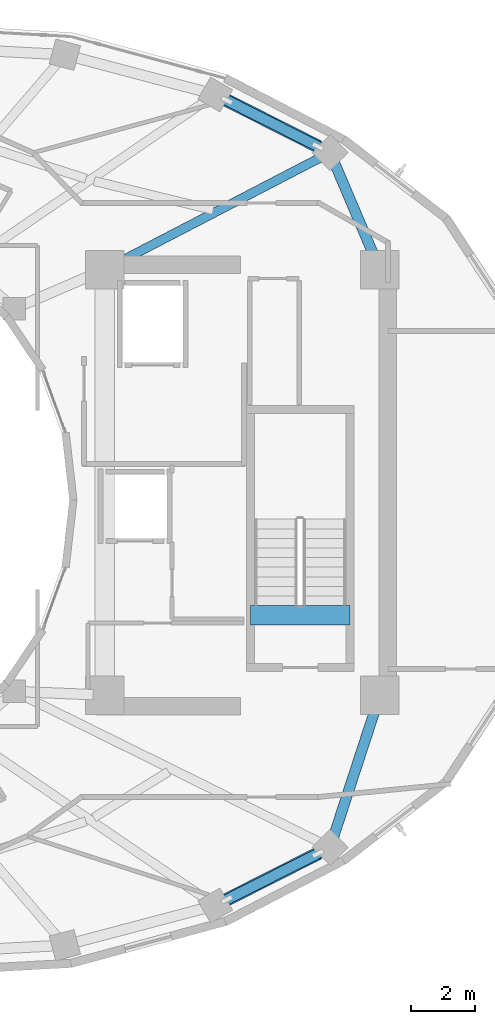
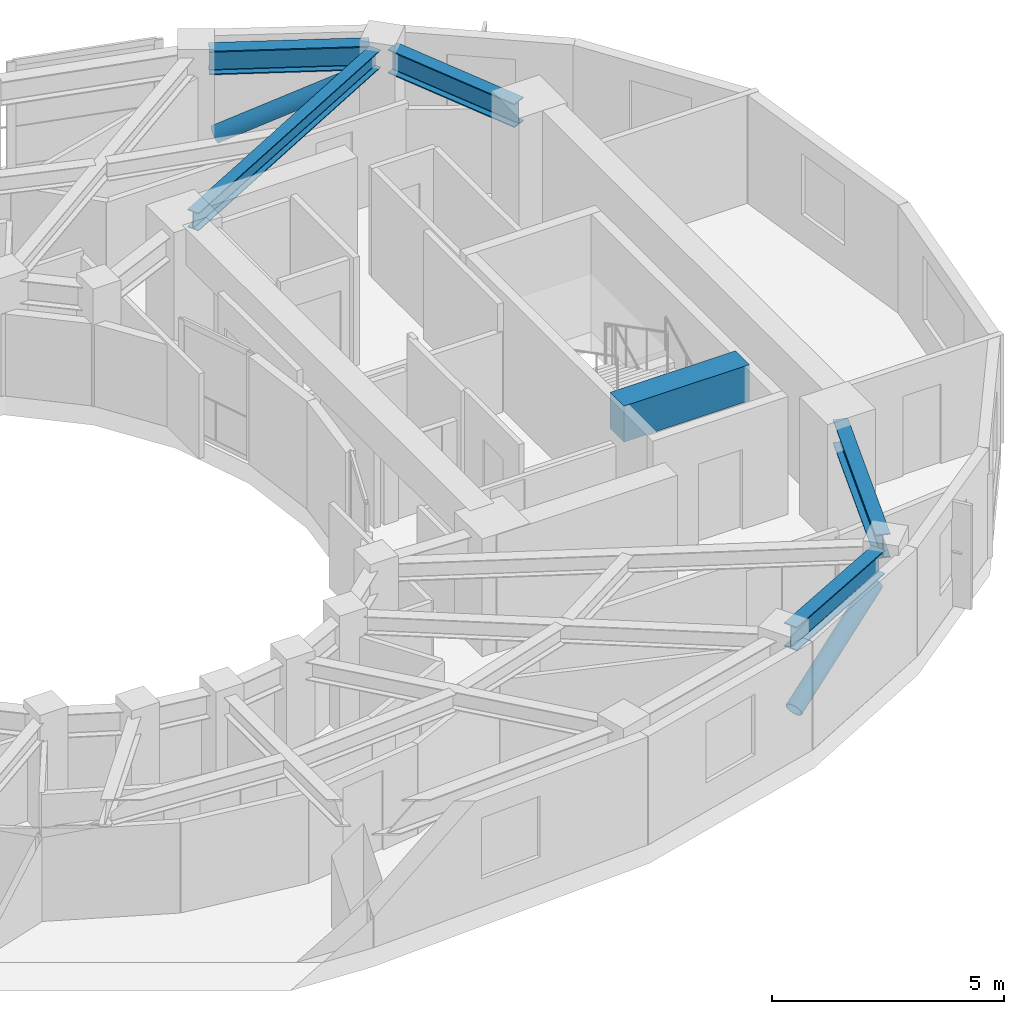
# One storey, part 10 of 19: 6 beams, 2 members.
"""IFC4 building model written with IfcOpenShell, lengths in metres."""

from ifc_helpers import new_model, si_unit, direction, frame, origin, origin_2d, place, context, subcontext, project, spatial, rectangle, hollow_circle, i_section, extrude, material, material_profile, profile_set, type_object, element, save


model = new_model("IFC4")

# Units and contexts
model_context = context("Model", 3, precision=1e-05, world=origin(), true_north=direction((0.0, 1.0)))
body_context = subcontext(model_context, "Body", "Model", "MODEL_VIEW")
ifc_project = project(units=[si_unit("LENGTHUNIT", "METRE"), si_unit("AREAUNIT", "SQUARE_METRE"), si_unit("VOLUMEUNIT", "CUBIC_METRE"), si_unit("PLANEANGLEUNIT", "RADIAN"), si_unit("MASSUNIT", "GRAM", prefix="KILO")], contexts=[model_context])

# Site, building, storey
site_placement = place(None, origin())
site = spatial("IfcSite", under=ifc_project, at=site_placement, CompositionType="ELEMENT")
building_placement = place(site_placement, origin())
building = spatial("IfcBuilding", under=site, at=building_placement, Name="Solvane Sanctuary Tower", CompositionType="ELEMENT")
storey_placement = place(building_placement, frame((0.0, 0.0, 201.60009765625)))
storey = spatial("IfcBuildingStorey", under=building, at=storey_placement, Name="L61", CompositionType="ELEMENT", Elevation=201.60009765625)

# Beams
ifc_material_1 = material(Name="Concrete C70/85", Category="concrete")
ifc_material_profile_1 = material_profile(ifc_material_1, rectangle(XDim=0.60009765625, YDim=0.949951171875, at=origin_2d()), Name="RC600X950")
ifc_profile_set_1 = profile_set([ifc_material_profile_1], Name="Concrete C70/85")
beam_type_1 = type_object("IfcBeamType", Name="Beam B-COUPLE RC600X950", PredefinedType="LINTEL", material=ifc_profile_set_1)
beam_1_placement = place(storey_placement, frame((44.64990234375, 19.399169921875, 2.625), z_axis=(1.0, 0.0, 0.0), x_axis=(0.0, 1.0, 0.0)))
element("IfcBeam", 1, at=beam_1_placement, inside=storey, type_object=beam_type_1, Name="L61 ST-2 Stair Floor Landing Trimmer", PredefinedType="LINTEL", context=body_context, shape_type="SweptSolid", body=[
    extrude(rectangle(XDim=0.60009765625, YDim=0.949951171875, at=origin_2d()), origin(), (0.0, 0.0, 1.0), 3.1201171875),
])
ifc_material_2 = material(Name="Steel ASTM A992 Grade 50", Category="steel")
ifc_material_profile_2 = material_profile(ifc_material_2, i_section(OverallWidth=0.282958984375, OverallDepth=0.471923828125, WebThickness=0.013671875, FlangeThickness=0.022216796875, FilletRadius=0.013916015625, at=origin_2d()), Name="W18X97")
ifc_profile_set_2 = profile_set([ifc_material_profile_2], Name="Steel ASTM A992 Grade 50")
beam_type_2 = type_object("IfcBeamType", Name="Beam B-RAD-Z4 W18X97", PredefinedType="JOIST", material=ifc_profile_set_2)
beam_2_placement = place(storey_placement, frame((40.41943359375, 30.365966796875, 2.641845703125), z_axis=(0.887553429209, 0.460704797348, 0.0), x_axis=(-0.460704797348, 0.887553429209, 0.0)))
element("IfcBeam", 2, at=beam_2_placement, inside=storey, type_object=beam_type_2, Name="L61 Radial Composite Floor Beam 01", PredefinedType="JOIST", context=body_context, shape_type="SweptSolid", body=[
    extrude(i_section(OverallWidth=0.282958984375, OverallDepth=0.471923828125, WebThickness=0.013671875, FlangeThickness=0.022216796875, FilletRadius=0.013916015625, at=origin_2d()), origin(), (0.0, 0.0, 1.0), 7.297607421875),
])
ifc_material_profile_3 = material_profile(ifc_material_2, i_section(OverallWidth=0.327880859375, OverallDepth=0.6279296875, WebThickness=0.0166015625, FlangeThickness=0.027587890625, FilletRadius=0.01611328125, at=origin_2d()), Name="W24X146")
ifc_profile_set_3 = profile_set([ifc_material_profile_3], Name="Steel ASTM A992 Grade 50")
beam_type_3 = type_object("IfcBeamType", Name="Beam B-SPAND-Z3 W24X146", PredefinedType="SPANDREL", material=ifc_profile_set_3)
beam_3_placement = place(storey_placement, frame((43.804931640625, 35.54638671875, 2.56396484375), z_axis=(0.892344822899, -0.451354314308, 0.0), x_axis=(0.451354314308, 0.892344822899, 0.0)))
element("IfcBeam", 3, at=beam_3_placement, inside=storey, type_object=beam_type_3, Name="L61 Perimeter Spandrel Beam TC02-TC01", PredefinedType="SPANDREL", context=body_context, shape_type="SweptSolid", body=[
    extrude(i_section(OverallWidth=0.327880859375, OverallDepth=0.6279296875, WebThickness=0.0166015625, FlangeThickness=0.027587890625, FilletRadius=0.01611328125, at=origin_2d()), origin(), (0.0, 0.0, 1.0), 3.462890625),
])
beam_4_placement = place(storey_placement, frame((47.25439453125, 33.599365234375, 2.56396484375), z_axis=(0.391328410333, -0.920251093597, 0.0), x_axis=(0.920251093597, 0.391328410333, 0.0)))
element("IfcBeam", 4, at=beam_4_placement, inside=storey, type_object=beam_type_3, Name="L61 Perimeter Spandrel Beam TC01-CE3", PredefinedType="SPANDREL", context=body_context, shape_type="SweptSolid", body=[
    extrude(i_section(OverallWidth=0.327880859375, OverallDepth=0.6279296875, WebThickness=0.0166015625, FlangeThickness=0.027587890625, FilletRadius=0.01611328125, at=origin_2d()), origin(), (0.0, 0.0, 1.0), 3.413818359375),
])
beam_5_placement = place(storey_placement, frame((43.804931640625, 10.45361328125, 2.56396484375), z_axis=(0.892344822899, 0.451354314308, 0.0), x_axis=(-0.451354314308, 0.892344822899, 0.0)))
element("IfcBeam", 5, at=beam_5_placement, inside=storey, type_object=beam_type_3, Name="L61 Perimeter Spandrel Beam TC13-TC14", PredefinedType="SPANDREL", context=body_context, shape_type="SweptSolid", body=[
    extrude(i_section(OverallWidth=0.327880859375, OverallDepth=0.6279296875, WebThickness=0.0166015625, FlangeThickness=0.027587890625, FilletRadius=0.01611328125, at=origin_2d()), origin(), (0.0, 0.0, 1.0), 3.462890625),
])
beam_6_placement = place(storey_placement, frame((47.23193359375, 12.4091796875, 2.56396484375), z_axis=(0.310735038966, 0.950496573144, 0.0), x_axis=(-0.950496573144, 0.310735038966, 0.0)))
element("IfcBeam", 6, at=beam_6_placement, inside=storey, type_object=beam_type_3, Name="L61 Perimeter Spandrel Beam TC14-CE2", PredefinedType="SPANDREL", context=body_context, shape_type="SweptSolid", body=[
    extrude(i_section(OverallWidth=0.327880859375, OverallDepth=0.6279296875, WebThickness=0.0166015625, FlangeThickness=0.027587890625, FilletRadius=0.01611328125, at=origin_2d()), origin(), (0.0, 0.0, 1.0), 4.444580078125),
])

# Members
ifc_material_profile_4 = material_profile(ifc_material_2, hollow_circle(Radius=0.202880859375, WallThickness=0.012451171875, at=origin_2d()), Name="CHS406X12.5")
ifc_profile_set_4 = profile_set([ifc_material_profile_4], Name="Steel ASTM A992 Grade 50")
member_type = type_object("IfcMemberType", Name="Member M-TUBE-Z3 CHS406X12.5", PredefinedType="BRACE", material=ifc_profile_set_4)
for number, where, z_axis, x_axis, name in (
    (7, (43.920654296875, 35.48779296875, 0.5703125), (0.809168494131, -0.409313786141, 0.4215549461), (0.451381225256, 0.892331210642, 0.0), "L61 Perimeter Braced-Tube Diagonal NE"),
    (8, (43.920654296875, 10.51220703125, 0.5703125), (0.809168494131, 0.409313786141, 0.4215549461), (-0.451381225256, 0.892331210642, 0.0), "L61 Perimeter Braced-Tube Diagonal SE"),
):
    element("IfcMember", number, at=place(storey_placement, frame(where, z_axis=z_axis, x_axis=x_axis)), inside=storey, type_object=member_type, Name=name, PredefinedType="BRACE", context=body_context, shape_type="SweptSolid", body=[
        extrude(hollow_circle(Radius=0.202880859375, WallThickness=0.012451171875, at=origin_2d()), origin(), (0.0, 0.0, 1.0), 3.51025390625),
    ])

save(model, "model.ifc")
